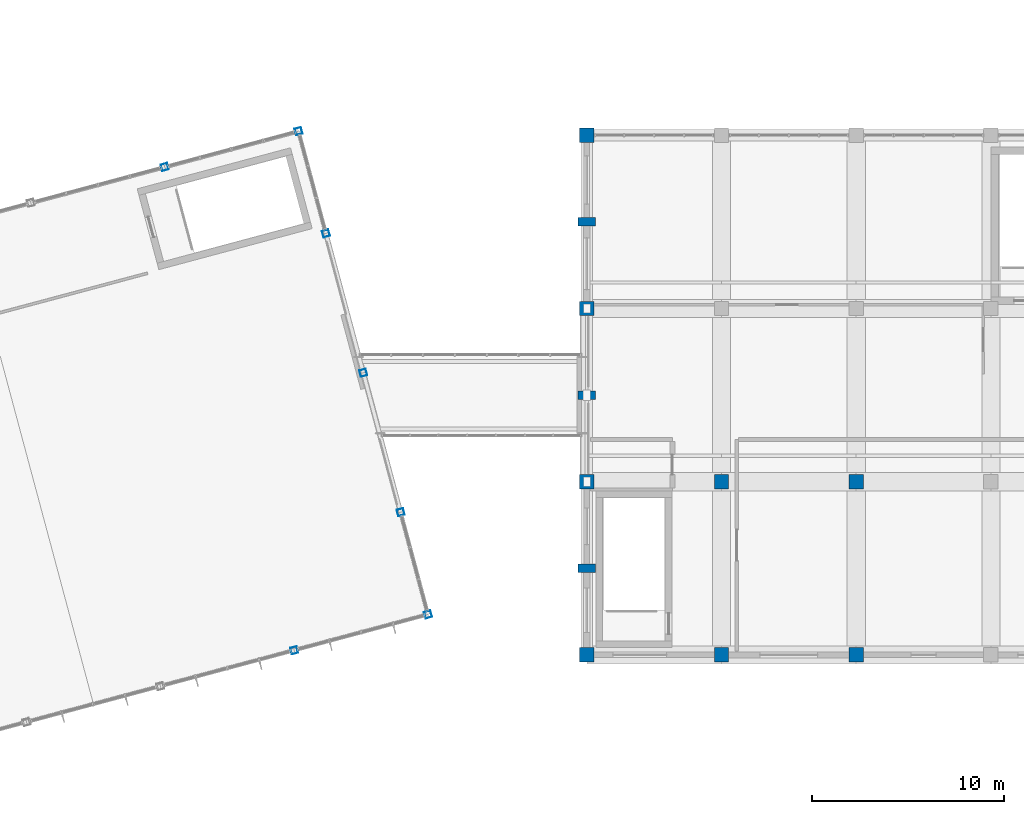
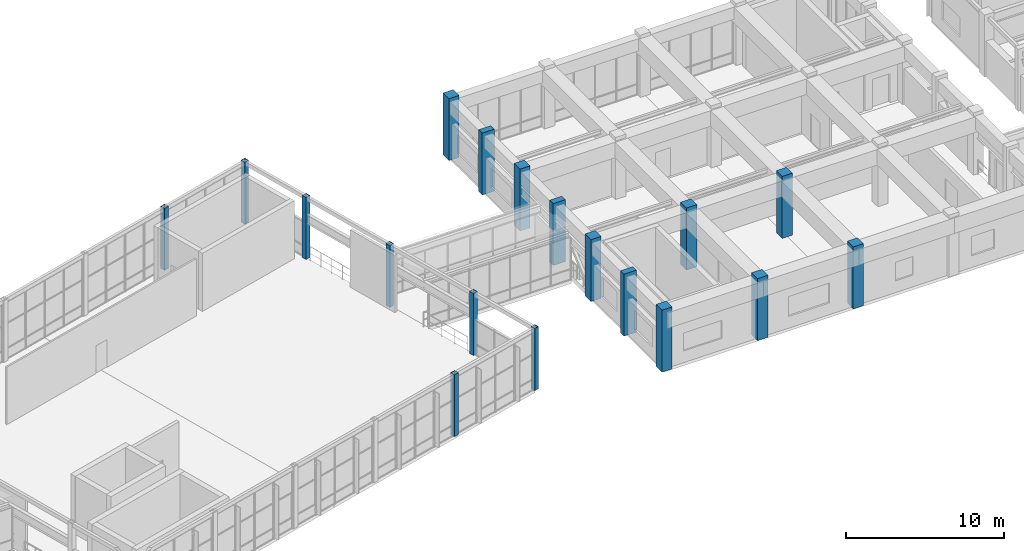
# One storey, part 6 of 99: 18 columns.
"""IFC4 building model written with IfcOpenShell, lengths in metres."""

from ifc_helpers import new_model, si_unit, direction, frame, origin, origin_2d, place, context, subcontext, project, spatial, rectangle, hollow_rectangle, extrude, material, material_profile, profile_set, type_object, element, save


model = new_model("IFC4")

# Units and contexts
model_context = context("Model", 3, precision=1e-05, world=origin(), true_north=direction((0.0, 1.0)))
body_context = subcontext(model_context, "Body", "Model", "MODEL_VIEW")
ifc_project = project(units=[si_unit("LENGTHUNIT", "METRE"), si_unit("AREAUNIT", "SQUARE_METRE"), si_unit("VOLUMEUNIT", "CUBIC_METRE"), si_unit("PLANEANGLEUNIT", "RADIAN"), si_unit("MASSUNIT", "GRAM", prefix="KILO")], contexts=[model_context])

# Site, building, storey
site_placement = place(None, origin())
site = spatial("IfcSite", under=ifc_project, at=site_placement, CompositionType="ELEMENT")
building_placement = place(site_placement, origin())
building = spatial("IfcBuilding", under=site, at=building_placement, Name="Ventoquebrada Cableway Terminal", CompositionType="ELEMENT")
storey_placement = place(building_placement, frame((0.0, 0.0, 9.60009765625)))
storey = spatial("IfcBuildingStorey", under=building, at=storey_placement, Name="L02", CompositionType="ELEMENT", Elevation=9.60009765625)

# Columns
ifc_material_1 = material(Name="Concrete C40/50", Category="concrete")
ifc_material_profile_1 = material_profile(ifc_material_1, rectangle(XDim=0.75, YDim=0.75, at=origin_2d()), Name="RC-COL-750X750")
ifc_profile_set_1 = profile_set([ifc_material_profile_1], Name="Concrete C40/50")
column_type_1 = type_object("IfcColumnType", Name="COL-RC05", PredefinedType="COLUMN", material=ifc_profile_set_1)
for number, where, z_axis, x_axis, name in (
    (1, (95.0, 77.0, 0.0), (0.0, 0.0, 1.0), (1.0, 0.0, 0.0), "Structural column FC-0409"),
    (2, (95.0, 86.0, 0.0), (0.0, 0.0, 1.0), (1.0, 0.0, 0.0), "Structural column FC-0413"),
    (3, (95.0, 95.0, 0.0), (0.0, 0.0, 1.0), (1.0, 0.0, 0.0), "Structural column FC-0417"),
    (4, (95.0, 104.0, 0.0), (0.0, 0.0, 1.0), (1.0, 0.0, 0.0), "Structural column FC-0421"),
    (5, (102.0, 77.0, 0.0), (0.0, 0.0, 1.0), (1.0, 0.0, 0.0), "Structural column FC-0427"),
    (6, (102.0, 86.0, 0.0), (0.0, 0.0, 1.0), (1.0, 0.0, 0.0), "Structural column FC-0431"),
    (7, (109.0, 77.0, 0.0), (0.0, 0.0, 1.0), (1.0, 0.0, 0.0), "Structural column FC-0445"),
    (8, (109.0, 86.0, 0.0), (0.0, 0.0, 1.0), (1.0, 0.0, 0.0), "Structural column FC-0449"),
):
    element("IfcColumn", number, at=place(storey_placement, frame(where, z_axis=z_axis, x_axis=x_axis)), inside=storey, type_object=column_type_1, Name=name, PredefinedType="COLUMN", context=body_context, shape_type="SweptSolid", body=[
        extrude(rectangle(XDim=0.75, YDim=0.75, at=origin_2d()), origin(), (0.0, 0.0, 1.0), 4.7998046875),
    ])
ifc_material_2 = material(Name="Steel ASTM A500 Grade C", Category="steel")
ifc_material_profile_2 = material_profile(ifc_material_2, hollow_rectangle(XDim=0.35009765625, YDim=0.35009765625, WallThickness=0.01611328125, at=origin_2d()), Name="HSS350X350X16")
ifc_profile_set_2 = profile_set([ifc_material_profile_2], Name="Steel ASTM A500 Grade C")
column_type_2 = type_object("IfcColumnType", Name="COL-ST05", PredefinedType="COLUMN", material=ifc_profile_set_2)
for number, where, z_axis, x_axis, name in (
    (9, (79.797119140625, 77.238037109375, 0.0), (0.0, 0.0, 1.0), (0.965925826289, 0.258819045103, 0.0), "Structural column FC-0737"),
    (10, (73.06689453125, 102.35205078125, 0.0), (0.0, 0.0, 1.0), (0.965925826289, 0.258819045103, 0.0), "Structural column FC-0751"),
    (11, (86.7509765625, 79.10205078125, 0.0), (0.0, 0.0, 1.0), (0.965925826289, 0.258819045103, 0.0), "Structural column FC-0756"),
    (12, (85.327880859375, 84.4140625, 0.0), (0.0, 0.0, 1.0), (0.965925826289, 0.258819045103, 0.0), "Structural column FC-0761"),
    (13, (83.386962890625, 91.658935546875, 0.0), (0.0, 0.0, 1.0), (0.965925826289, 0.258819045103, 0.0), "Structural column FC-0766"),
    (14, (81.446044921875, 98.903076171875, 0.0), (0.0, 0.0, 1.0), (0.965925826289, 0.258819045103, 0.0), "Structural column FC-0771"),
    (15, (80.02197265625, 104.216064453125, 0.0), (0.0, 0.0, 1.0), (0.965925826289, 0.258819045103, 0.0), "Structural column FC-0776"),
):
    element("IfcColumn", number, at=place(storey_placement, frame(where, z_axis=z_axis, x_axis=x_axis)), inside=storey, type_object=column_type_2, Name=name, PredefinedType="COLUMN", context=body_context, shape_type="SweptSolid", body=[
        extrude(hollow_rectangle(XDim=0.35009765625, YDim=0.35009765625, WallThickness=0.01611328125, at=origin_2d()), origin(), (0.0, 0.0, 1.0), 4.7998046875),
    ])
ifc_material_profile_3 = material_profile(ifc_material_1, rectangle(XDim=0.449951171875, YDim=0.89990234375, at=origin_2d()), Name="RC-PIL-450X900")
ifc_profile_set_3 = profile_set([ifc_material_profile_3], Name="Concrete C40/50")
column_type_3 = type_object("IfcColumnType", Name="PIL-RC02", PredefinedType="PILASTER", material=ifc_profile_set_3)
for number, where, z_axis, x_axis, name in (
    (16, (95.0, 81.5, 0.0), (0.0, 0.0, 1.0), (0.0, 1.0, 0.0), "Facade pilaster FPL-0499"),
    (17, (95.0, 90.5, 0.0), (0.0, 0.0, 1.0), (0.0, 1.0, 0.0), "Facade pilaster FPL-0503"),
    (18, (95.0, 99.5, 0.0), (0.0, 0.0, 1.0), (0.0, 1.0, 0.0), "Facade pilaster FPL-0507"),
):
    element("IfcColumn", number, at=place(storey_placement, frame(where, z_axis=z_axis, x_axis=x_axis)), inside=storey, type_object=column_type_3, Name=name, PredefinedType="PILASTER", context=body_context, shape_type="SweptSolid", body=[
        extrude(rectangle(XDim=0.449951171875, YDim=0.89990234375, at=origin_2d()), origin(), (0.0, 0.0, 1.0), 4.7998046875),
    ])

save(model, "model.ifc")
